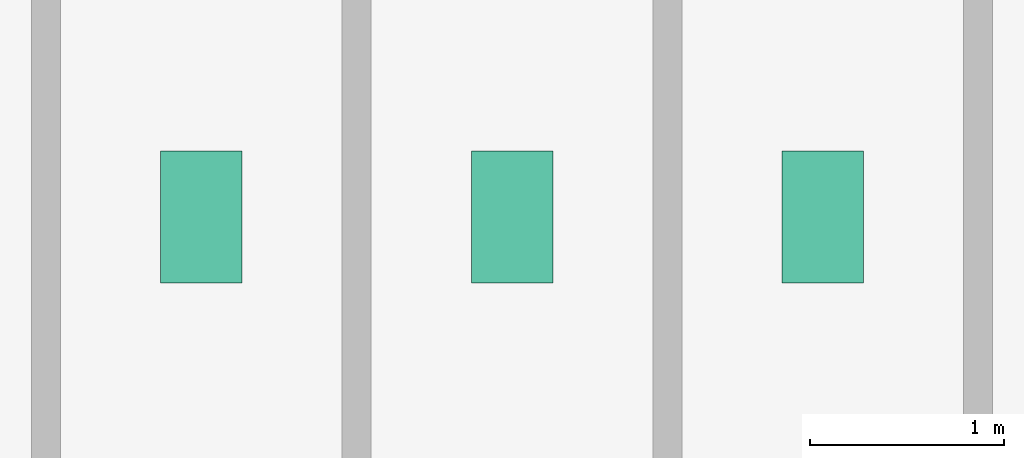
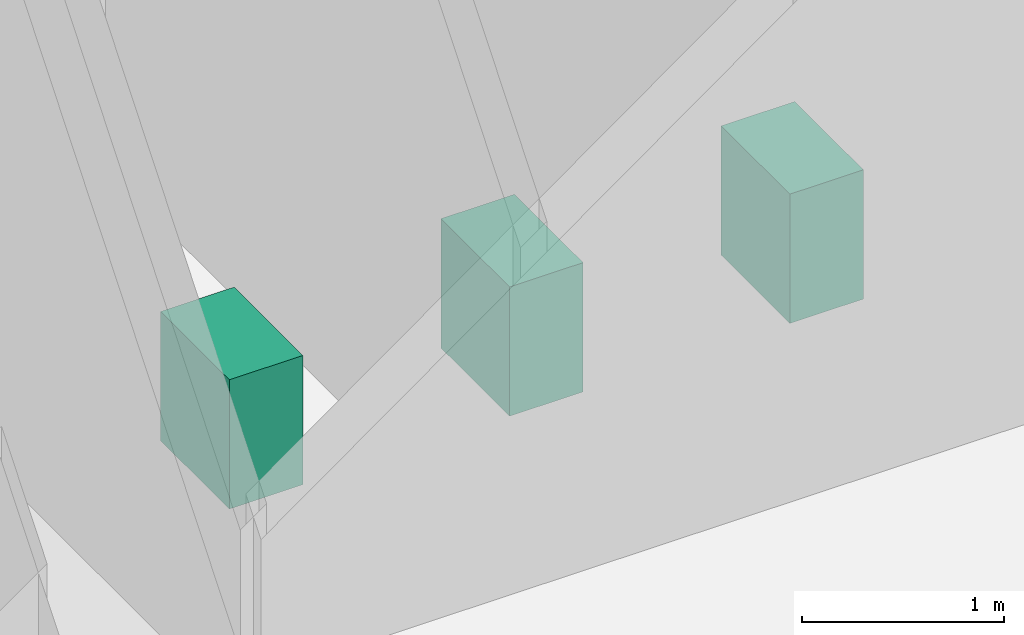
# One storey, part 26 of 26: 3 sanitary terminals.
"""IFC4 building model written with IfcOpenShell, lengths in metres."""

from ifc_helpers import new_model, si_unit, derived_unit, direction, frame, origin, origin_2d, place, context, subcontext, project, spatial, rectangle, extrude, source, transform, mapped, material, type_object, element, save


model = new_model("IFC4")

# Units and contexts
model_context = context("Model", 3, precision=1e-05, world=origin(), true_north=direction((0.0, 1.0)))
body_context = subcontext(model_context, "Body", "Model", "MODEL_VIEW")
ifc_project = project(units=[si_unit("LENGTHUNIT", "METRE"), si_unit("AREAUNIT", "SQUARE_METRE"), si_unit("VOLUMEUNIT", "CUBIC_METRE"), si_unit("PLANEANGLEUNIT", "RADIAN"), si_unit("MASSUNIT", "GRAM", prefix="KILO"), derived_unit("THERMALTRANSMITTANCEUNIT", [(si_unit("POWERUNIT", "WATT"), 1), (si_unit("LENGTHUNIT", "METRE"), -2), (si_unit("THERMODYNAMICTEMPERATUREUNIT", "KELVIN"), -1)])], contexts=[model_context])

# Site, building, storey
site_placement = place(None, origin())
site = spatial("IfcSite", under=ifc_project, at=site_placement, CompositionType="ELEMENT")
building_placement = place(site_placement, origin())
building = spatial("IfcBuilding", under=site, at=building_placement, Name="Skarnbrae Concourse Arena and Tower", CompositionType="ELEMENT")
storey_placement = place(building_placement, frame((0.0, 0.0, 132.449951171875)))
storey = spatial("IfcBuildingStorey", under=building, at=storey_placement, Name="L33", CompositionType="ELEMENT", Elevation=132.449951171875)

# Sanitary terminals
ifc_material = material(Name="Vitreous china sanitaryware", Category="other")
sanitary_terminal_type = type_object("IfcSanitaryTerminalType", Name="SAN-WC-VITREOUS", PredefinedType="TOILETPAN", material=ifc_material)
shared_shape = source(origin(), body_context, "Body", "SweptSolid", [
    extrude(rectangle(XDim=0.419921875, YDim=0.679931640625, at=origin_2d()), origin(), (0.0, 0.0, 1.0), 0.780029296875),
])
for number, where, z_axis, x_axis, name in (
    (1, (35.0, 11.39990234375, 0.0), (0.0, 0.0, 1.0), (1.0, 0.0, 0.0), "L33 Washroom WC fixture 1"),
    (2, (36.60009765625, 11.39990234375, 0.0), (0.0, 0.0, 1.0), (1.0, 0.0, 0.0), "L33 Washroom WC fixture 2"),
    (3, (38.199951171875, 11.39990234375, 0.0), (0.0, 0.0, 1.0), (1.0, 0.0, 0.0), "L33 Washroom WC fixture 3"),
):
    element("IfcSanitaryTerminal", number, at=place(storey_placement, frame(where, z_axis=z_axis, x_axis=x_axis)), inside=storey, type_object=sanitary_terminal_type, Name=name, PredefinedType="TOILETPAN", context=body_context, shape_type="MappedRepresentation", body=[
        mapped(shared_shape, transform((0.0, 0.0, 0.0))),
    ])

save(model, "model.ifc")
